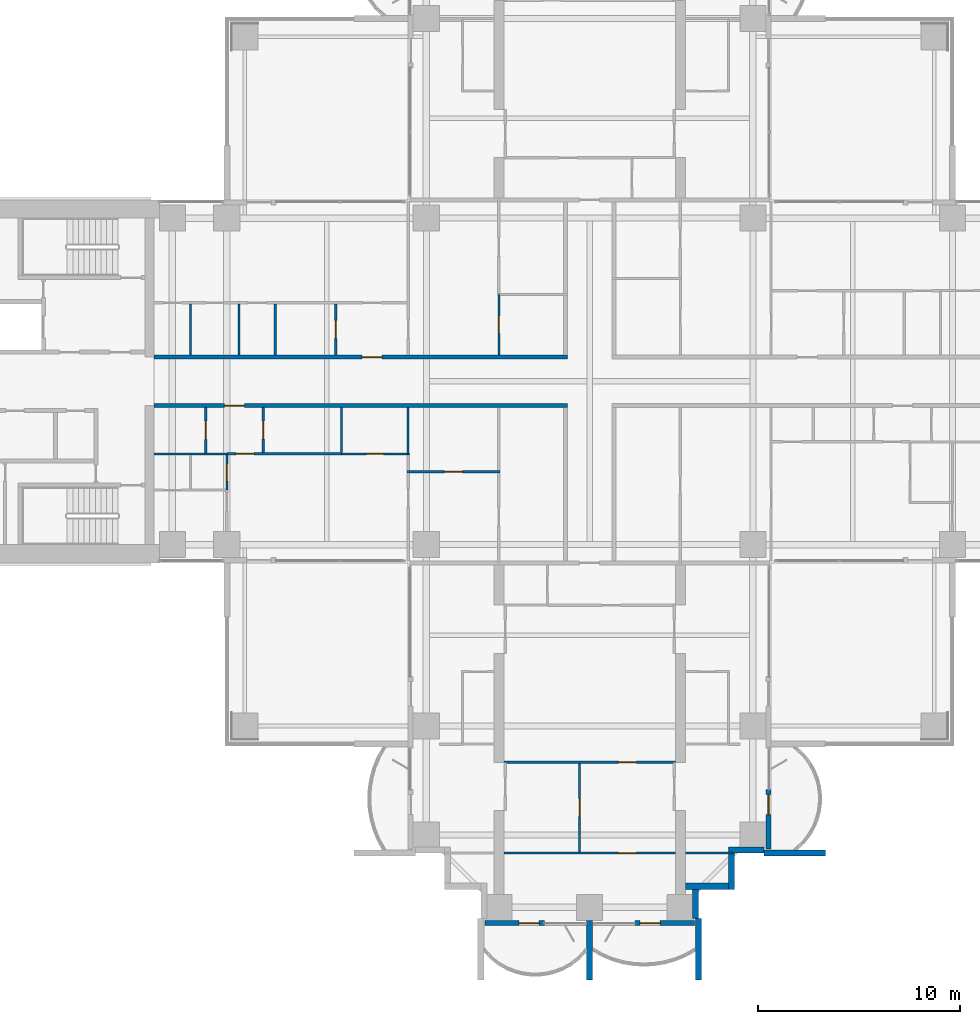
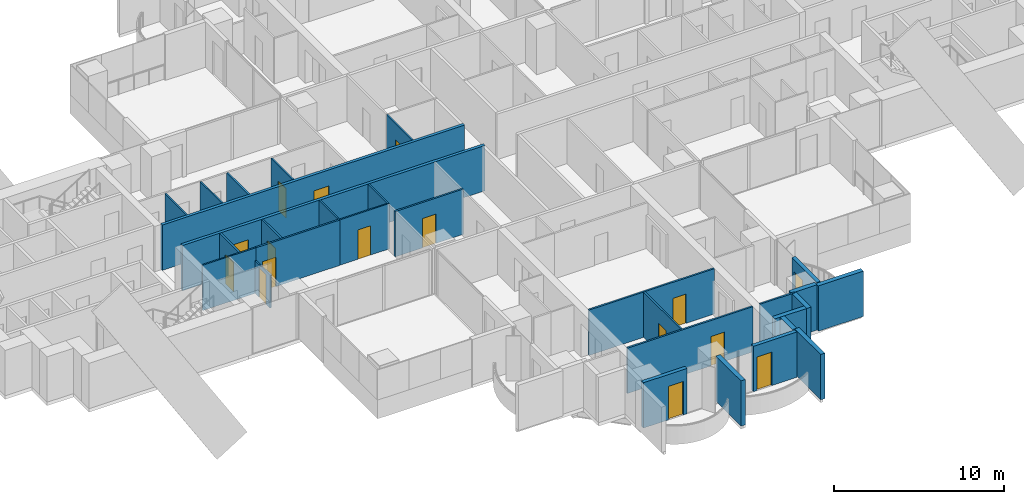
# One storey, part 12 of 23: 30 walls, 16 doors, 16 openings.
"""IFC4 building model written with IfcOpenShell, lengths in metres."""

from ifc_helpers import new_model, si_unit, direction, frame, frame_2d, origin, place, context, subcontext, project, spatial, rectangle, extrude, material, layer, layer_set, type_object, element, fill, save


model = new_model("IFC4")

# Units and contexts
model_context = context("Model", 3, precision=1e-05, world=origin(), true_north=direction((0.0, 1.0)))
body_context = subcontext(model_context, "Body", "Model", "MODEL_VIEW")
ifc_project = project(units=[si_unit("LENGTHUNIT", "METRE"), si_unit("AREAUNIT", "SQUARE_METRE"), si_unit("VOLUMEUNIT", "CUBIC_METRE"), si_unit("PLANEANGLEUNIT", "RADIAN"), si_unit("MASSUNIT", "GRAM", prefix="KILO")], contexts=[model_context])

# Site, building, storey
site_placement = place(None, origin())
site = spatial("IfcSite", under=ifc_project, at=site_placement, CompositionType="ELEMENT")
building_placement = place(site_placement, origin())
building = spatial("IfcBuilding", under=site, at=building_placement, Name="Perihelion Cross Residences", CompositionType="ELEMENT")
storey_placement = place(building_placement, frame((0.0, 0.0, 61.0)))
storey = spatial("IfcBuildingStorey", under=building, at=storey_placement, Name="L12", CompositionType="ELEMENT", Elevation=61.0)

# Wall, opening, door
ifc_material_1 = material(Name="Plasterboard partition")
ifc_layer_1 = layer(ifc_material_1, 0.199951171875)
ifc_layer_set_1 = layer_set([ifc_layer_1], Name="Apartment separation wall 200")
wall_type_1 = type_object("IfcWallType", Name="Apartment separation wall 200", PredefinedType="PARTITIONING", material=ifc_layer_set_1)
wall_1_placement = place(storey_placement, frame((-21.60009765625, 1.199951171875, 0.0), z_axis=(0.0, 0.0, 1.0), x_axis=(1.0, 0.0, 0.0)))
wall_1 = element("IfcWall", 1, at=wall_1_placement, inside=storey, type_object=wall_type_1, Name="Partition L12 W005", PredefinedType="PARTITIONING", context=body_context, shape_type="SweptSolid", body=[
    extrude(rectangle(XDim=20.5, YDim=0.199951171875, at=frame_2d((10.25, 0.0))), origin(), (0.0, 0.0, 1.0), 3.25),
])
opening_1_placement = place(wall_1_placement, frame((10.300048828125, 0.0, 0.0)))
opening_1 = element("IfcOpeningElement", 2, at=opening_1_placement, cuts=wall_1, Name="Opening L12.A55", PredefinedType="OPENING", context=body_context, shape_type="SweptSolid", body=[
    extrude(rectangle(XDim=1.0, YDim=2.10009765625, at=frame_2d((0.5, 1.050048828125))), frame((0.0, 0.10986328125, 0.0), z_axis=(0.0, -1.0, 0.0), x_axis=(1.0, 0.0, 0.0)), (0.0, 0.0, 1.0), 0.219970703125),
])
ifc_material_2 = material(Name="Timber door leaf", Category="wood")
door_type_1 = type_object("IfcDoorType", Name="Flat entrance door 1000 x 2100", OperationType="SINGLE_SWING_LEFT", PredefinedType="DOOR", material=ifc_material_2)
door_1_placement = place(opening_1_placement, origin())
door_1 = element("IfcDoor", 3, at=door_1_placement, inside=storey, type_object=door_type_1, Name="Door L12.A55", OperationType="SINGLE_SWING_LEFT", OverallHeight=2.10009765625, OverallWidth=1.0, PredefinedType="DOOR", context=body_context, shape_type="SweptSolid", body=[
    extrude(rectangle(XDim=1.0, YDim=2.10009765625, at=frame_2d((0.5, 1.050048828125))), frame((0.0, 0.02490234375, 0.0), z_axis=(0.0, -1.0, 0.0), x_axis=(1.0, 0.0, 0.0)), (0.0, 0.0, 1.0), 0.050048828125),
])
fill(opening_1, door_1)

wall_2_placement = place(storey_placement, frame((-1.10009765625, -1.199951171875, 0.0), z_axis=(0.0, 0.0, 1.0), x_axis=(-1.0, 0.0, 0.0)))
wall_2 = element("IfcWall", 4, at=wall_2_placement, inside=storey, type_object=wall_type_1, Name="Partition L12 W007", PredefinedType="PARTITIONING", context=body_context, shape_type="SweptSolid", body=[
    extrude(rectangle(XDim=20.5, YDim=0.199951171875, at=frame_2d((10.25, 0.0))), origin(), (0.0, 0.0, 1.0), 3.25),
])
opening_2_placement = place(wall_2_placement, frame((16.02490234375, 0.0, 0.0)))
opening_2 = element("IfcOpeningElement", 5, at=opening_2_placement, cuts=wall_2, Name="Opening L12.A56", PredefinedType="OPENING", context=body_context, shape_type="SweptSolid", body=[
    extrude(rectangle(XDim=1.0, YDim=2.10009765625, at=frame_2d((0.5, 1.050048828125))), frame((0.0, 0.10986328125, 0.0), z_axis=(0.0, -1.0, 0.0), x_axis=(1.0, 0.0, 0.0)), (0.0, 0.0, 1.0), 0.219970703125),
])
door_2_placement = place(opening_2_placement, origin())
door_2 = element("IfcDoor", 6, at=door_2_placement, inside=storey, type_object=door_type_1, Name="Door L12.A56", OperationType="SINGLE_SWING_RIGHT", OverallHeight=2.10009765625, OverallWidth=1.0, PredefinedType="DOOR", context=body_context, shape_type="SweptSolid", body=[
    extrude(rectangle(XDim=1.0, YDim=2.10009765625, at=frame_2d((0.5, 1.050048828125))), frame((0.0, 0.02490234375, 0.0), z_axis=(0.0, -1.0, 0.0), x_axis=(1.0, 0.0, 0.0)), (0.0, 0.0, 1.0), 0.050048828125),
])
fill(opening_2, door_2)

ifc_material_3 = material(Name="Concrete C30/37, bronze-clad", Category="concrete")
ifc_layer_2 = layer(ifc_material_3, 0.25)
ifc_layer_set_2 = layer_set([ifc_layer_2], Name="Bronze-clad pier wall 250")
wall_type_2 = type_object("IfcWallType", Name="Bronze-clad pier wall 250", PredefinedType="SOLIDWALL", material=ifc_layer_set_2)
wall_3_placement = place(storey_placement, frame((-5.199951171875, -26.875, 0.0), z_axis=(0.0, 0.0, 1.0), x_axis=(1.0, 0.0, 0.0)))
wall_3 = element("IfcWall", 7, at=wall_3_placement, inside=storey, type_object=wall_type_2, Name="Wall FW1 L12 south tip south bay 1 pier", PredefinedType="SOLIDWALL", context=body_context, shape_type="SweptSolid", body=[
    extrude(rectangle(XDim=2.949951171875, YDim=0.25, at=frame_2d((1.47509765625, 0.0))), origin(), (0.0, 0.0, 1.0), 3.25),
])
opening_3_placement = place(wall_3_placement, frame((1.699951171875, 0.0, 0.0)))
opening_3 = element("IfcOpeningElement", 8, at=opening_3_placement, cuts=wall_3, Name="Opening L12.E12", PredefinedType="OPENING", context=body_context, shape_type="SweptSolid", body=[
    extrude(rectangle(XDim=1.0, YDim=2.39990234375, at=frame_2d((0.5, 1.199951171875))), frame((0.0, 0.135009765625, 0.0), z_axis=(0.0, -1.0, 0.0), x_axis=(1.0, 0.0, 0.0)), (0.0, 0.0, 1.0), 0.27001953125),
])
ifc_material_4 = material(Name="Bronze anodised aluminium, glazed", Category="aluminium")
door_type_2 = type_object("IfcDoorType", Name="Balcony door 1000 x 2400", OperationType="NOTDEFINED", PredefinedType="DOOR", material=ifc_material_4)
door_3_placement = place(opening_3_placement, origin())
door_3 = element("IfcDoor", 9, at=door_3_placement, inside=storey, type_object=door_type_2, Name="Door L12.E12 south tip south bay 1", OperationType="SINGLE_SWING_LEFT", OverallHeight=2.39990234375, OverallWidth=1.0, PredefinedType="DOOR", context=body_context, shape_type="SweptSolid", body=[
    extrude(rectangle(XDim=1.0, YDim=2.39990234375, at=frame_2d((0.5, 1.199951171875))), frame((0.0, 0.02490234375, 0.0), z_axis=(0.0, -1.0, 0.0), x_axis=(1.0, 0.0, 0.0)), (0.0, 0.0, 1.0), 0.050048828125),
])
fill(opening_3, door_3)

wall_4_placement = place(storey_placement, frame((2.25, -26.875, 0.0), z_axis=(0.0, 0.0, 1.0), x_axis=(1.0, 0.0, 0.0)))
wall_4 = element("IfcWall", 10, at=wall_4_placement, inside=storey, type_object=wall_type_2, Name="Wall FW1 L12 south tip south bay 2 pier", PredefinedType="SOLIDWALL", context=body_context, shape_type="SweptSolid", body=[
    extrude(rectangle(XDim=2.949951171875, YDim=0.25, at=frame_2d((1.47509765625, 0.0))), origin(), (0.0, 0.0, 1.0), 3.25),
])
opening_4_placement = place(wall_4_placement, frame((0.25, 0.0, 0.0)))
opening_4 = element("IfcOpeningElement", 11, at=opening_4_placement, cuts=wall_4, Name="Opening L12.E13", PredefinedType="OPENING", context=body_context, shape_type="SweptSolid", body=[
    extrude(rectangle(XDim=1.0, YDim=2.39990234375, at=frame_2d((0.5, 1.199951171875))), frame((0.0, 0.135009765625, 0.0), z_axis=(0.0, -1.0, 0.0), x_axis=(1.0, 0.0, 0.0)), (0.0, 0.0, 1.0), 0.27001953125),
])
door_4_placement = place(opening_4_placement, origin())
door_4 = element("IfcDoor", 12, at=door_4_placement, inside=storey, type_object=door_type_2, Name="Door L12.E13 south tip south bay 2", OperationType="SINGLE_SWING_RIGHT", OverallHeight=2.39990234375, OverallWidth=1.0, PredefinedType="DOOR", context=body_context, shape_type="SweptSolid", body=[
    extrude(rectangle(XDim=1.0, YDim=2.39990234375, at=frame_2d((0.5, 1.199951171875))), frame((0.0, 0.02490234375, 0.0), z_axis=(0.0, -1.0, 0.0), x_axis=(1.0, 0.0, 0.0)), (0.0, 0.0, 1.0), 0.050048828125),
])
fill(opening_4, door_4)

wall_5_placement = place(storey_placement, frame((8.875, -23.199951171875, 0.0), z_axis=(0.0, 0.0, 1.0), x_axis=(0.0, 1.0, 0.0)))
wall_5 = element("IfcWall", 13, at=wall_5_placement, inside=storey, type_object=wall_type_2, Name="Wall FW1 L12 south side east bay 1 pier", PredefinedType="SOLIDWALL", context=body_context, shape_type="SweptSolid", body=[
    extrude(rectangle(XDim=2.949951171875, YDim=0.25, at=frame_2d((1.47509765625, 0.0))), origin(), (0.0, 0.0, 1.0), 3.25),
])
opening_5_placement = place(wall_5_placement, frame((1.699951171875, 0.0, 0.0)))
opening_5 = element("IfcOpeningElement", 14, at=opening_5_placement, cuts=wall_5, Name="Opening L12.E14", PredefinedType="OPENING", context=body_context, shape_type="SweptSolid", body=[
    extrude(rectangle(XDim=1.0, YDim=2.39990234375, at=frame_2d((0.5, 1.199951171875))), frame((0.0, 0.135009765625, 0.0), z_axis=(0.0, -1.0, 0.0), x_axis=(1.0, 0.0, 0.0)), (0.0, 0.0, 1.0), 0.27001953125),
])
door_5_placement = place(opening_5_placement, origin())
door_5 = element("IfcDoor", 15, at=door_5_placement, inside=storey, type_object=door_type_2, Name="Door L12.E14 south side east bay 1", OperationType="SINGLE_SWING_LEFT", OverallHeight=2.39990234375, OverallWidth=1.0, PredefinedType="DOOR", context=body_context, shape_type="SweptSolid", body=[
    extrude(rectangle(XDim=1.0, YDim=2.39990234375, at=frame_2d((0.5, 1.199951171875))), frame((0.0, 0.02490234375, 0.0), z_axis=(0.0, -1.0, 0.0), x_axis=(1.0, 0.0, 0.0)), (0.0, 0.0, 1.0), 0.050048828125),
])
fill(opening_5, door_5)

# Walls
ifc_material_5 = material(Name="Concrete C30/37, bronze-clad", Category="concrete")
ifc_layer_3 = layer(ifc_material_5, 0.300048828125)
ifc_layer_set_3 = layer_set([ifc_layer_3], Name="Bronze-clad serration wall 300")
wall_type_3 = type_object("IfcWallType", Name="Bronze-clad serration wall 300", PredefinedType="SOLIDWALL", material=ifc_layer_set_3)
wall_6_placement = place(storey_placement, frame((5.25, -26.64990234375, 0.0), z_axis=(0.0, 0.0, 1.0), x_axis=(0.0, 1.0, 0.0)))
element("IfcWall", 16, at=wall_6_placement, inside=storey, type_object=wall_type_3, Name="Wall SR1 L12 south corner south-east 1", PredefinedType="SOLIDWALL", context=body_context, shape_type="SweptSolid", body=[
    extrude(rectangle(XDim=1.449951171875, YDim=0.300048828125, at=frame_2d((0.72509765625, 0.0))), origin(), (0.0, 0.0, 1.0), 3.25),
])
wall_7_placement = place(storey_placement, frame((4.75, -25.050048828125, 0.0), z_axis=(0.0, 0.0, 1.0), x_axis=(1.0, 0.0, 0.0)))
element("IfcWall", 17, at=wall_7_placement, inside=storey, type_object=wall_type_3, Name="Wall SR1 L12 south corner south-east 2", PredefinedType="SOLIDWALL", context=body_context, shape_type="SweptSolid", body=[
    extrude(rectangle(XDim=2.14990234375, YDim=0.300048828125, at=frame_2d((1.074951171875, 0.0))), origin(), (0.0, 0.0, 1.0), 3.25),
])
wall_8_placement = place(storey_placement, frame((7.050048828125, -25.199951171875, 0.0), z_axis=(0.0, 0.0, 1.0), x_axis=(0.0, 1.0, 0.0)))
element("IfcWall", 18, at=wall_8_placement, inside=storey, type_object=wall_type_3, Name="Wall SR1 L12 south corner south-east 3", PredefinedType="SOLIDWALL", context=body_context, shape_type="SweptSolid", body=[
    extrude(rectangle(XDim=1.800048828125, YDim=0.300048828125, at=frame_2d((0.89990234375, 0.0))), origin(), (0.0, 0.0, 1.0), 3.25),
])
wall_9_placement = place(storey_placement, frame((6.89990234375, -23.25, 0.0), z_axis=(0.0, 0.0, 1.0), x_axis=(1.0, 0.0, 0.0)))
element("IfcWall", 19, at=wall_9_placement, inside=storey, type_object=wall_type_3, Name="Wall SR1 L12 south corner south-east 4", PredefinedType="SOLIDWALL", context=body_context, shape_type="SweptSolid", body=[
    extrude(rectangle(XDim=1.75, YDim=0.300048828125, at=frame_2d((0.875, 0.0))), origin(), (0.0, 0.0, 1.0), 3.25),
])

# Wall, opening, door
ifc_material_6 = material(Name="Plasterboard partition")
ifc_layer_4 = layer(ifc_material_6, 0.1201171875)
ifc_layer_set_4 = layer_set([ifc_layer_4], Name="Partition wall 120")
wall_type_4 = type_object("IfcWallType", Name="Partition wall 120", PredefinedType="PARTITIONING", material=ifc_layer_set_4)
wall_10_placement = place(storey_placement, frame((-12.60009765625, 1.300048828125, 0.0), z_axis=(0.0, 0.0, 1.0), x_axis=(0.0, 1.0, 0.0)))
wall_10 = element("IfcWall", 20, at=wall_10_placement, inside=storey, type_object=wall_type_4, Name="Partition L12 W035", PredefinedType="PARTITIONING", context=body_context, shape_type="SweptSolid", body=[
    extrude(rectangle(XDim=2.5400390625, YDim=0.1201171875, at=frame_2d((1.27001953125, 0.0))), origin(), (0.0, 0.0, 1.0), 3.25),
])
opening_6_placement = place(wall_10_placement, frame((0.820068359375, 0.0, 0.0)))
opening_6 = element("IfcOpeningElement", 21, at=opening_6_placement, cuts=wall_10, Name="Opening L12.A20", PredefinedType="OPENING", context=body_context, shape_type="SweptSolid", body=[
    extrude(rectangle(XDim=0.89990234375, YDim=2.10009765625, at=frame_2d((0.449951171875, 1.050048828125))), frame((0.0, 0.070068359375, 0.0), z_axis=(0.0, -1.0, 0.0), x_axis=(1.0, 0.0, 0.0)), (0.0, 0.0, 1.0), 0.14013671875),
])
ifc_material_7 = material(Name="Timber door leaf", Category="wood")
door_type_3 = type_object("IfcDoorType", Name="Interior room door 900 x 2100", OperationType="SINGLE_SWING_LEFT", PredefinedType="DOOR", material=ifc_material_7)
door_6_placement = place(opening_6_placement, origin())
door_6 = element("IfcDoor", 22, at=door_6_placement, inside=storey, type_object=door_type_3, Name="Door L12.A20", OperationType="SINGLE_SWING_RIGHT", OverallHeight=2.10009765625, OverallWidth=0.89990234375, PredefinedType="DOOR", context=body_context, shape_type="SweptSolid", body=[
    extrude(rectangle(XDim=0.89990234375, YDim=2.10009765625, at=frame_2d((0.449951171875, 1.050048828125))), frame((0.0, 0.02490234375, 0.0), z_axis=(0.0, -1.0, 0.0), x_axis=(1.0, 0.0, 0.0)), (0.0, 0.0, 1.0), 0.050048828125),
])
fill(opening_6, door_6)

# Wall
wall_11_placement = place(storey_placement, frame((-15.60009765625, 1.300048828125, 0.0), z_axis=(0.0, 0.0, 1.0), x_axis=(0.0, 1.0, 0.0)))
element("IfcWall", 23, at=wall_11_placement, inside=storey, type_object=wall_type_4, Name="Partition L12 W038", PredefinedType="PARTITIONING", context=body_context, shape_type="SweptSolid", body=[
    extrude(rectangle(XDim=2.5400390625, YDim=0.1201171875, at=frame_2d((1.27001953125, 0.0))), origin(), (0.0, 0.0, 1.0), 3.25),
])

# Wall, opening, door
wall_12_placement = place(storey_placement, frame((-16.199951171875, -3.5400390625, 0.0), z_axis=(0.0, 0.0, 1.0), x_axis=(0.0, 1.0, 0.0)))
wall_12 = element("IfcWall", 24, at=wall_12_placement, inside=storey, type_object=wall_type_4, Name="Partition L12 W049", PredefinedType="PARTITIONING", context=body_context, shape_type="SweptSolid", body=[
    extrude(rectangle(XDim=2.239990234375, YDim=0.1201171875, at=frame_2d((1.1201171875, 0.0))), origin(), (0.0, 0.0, 1.0), 3.25),
])
opening_7_placement = place(wall_12_placement, frame((0.669921875, 0.0, 0.0)))
opening_7 = element("IfcOpeningElement", 25, at=opening_7_placement, cuts=wall_12, Name="Opening L12.A31", PredefinedType="OPENING", context=body_context, shape_type="SweptSolid", body=[
    extrude(rectangle(XDim=0.89990234375, YDim=2.10009765625, at=frame_2d((0.449951171875, 1.050048828125))), frame((0.0, 0.070068359375, 0.0), z_axis=(0.0, -1.0, 0.0), x_axis=(1.0, 0.0, 0.0)), (0.0, 0.0, 1.0), 0.14013671875),
])
door_7_placement = place(opening_7_placement, origin())
door_7 = element("IfcDoor", 26, at=door_7_placement, inside=storey, type_object=door_type_3, Name="Door L12.A31", OperationType="SINGLE_SWING_RIGHT", OverallHeight=2.10009765625, OverallWidth=0.89990234375, PredefinedType="DOOR", context=body_context, shape_type="SweptSolid", body=[
    extrude(rectangle(XDim=0.89990234375, YDim=2.10009765625, at=frame_2d((0.449951171875, 1.050048828125))), frame((0.0, 0.02490234375, 0.0), z_axis=(0.0, -1.0, 0.0), x_axis=(1.0, 0.0, 0.0)), (0.0, 0.0, 1.0), 0.050048828125),
])
fill(opening_7, door_7)

wall_13_placement = place(storey_placement, frame((-12.300048828125, -3.60009765625, 0.0), z_axis=(0.0, 0.0, 1.0), x_axis=(-1.0, 0.0, 0.0)))
wall_13 = element("IfcWall", 27, at=wall_13_placement, inside=storey, type_object=wall_type_4, Name="Partition L12 W050", PredefinedType="PARTITIONING", context=body_context, shape_type="SweptSolid", body=[
    extrude(rectangle(XDim=5.699951171875, YDim=0.1201171875, at=frame_2d((2.85009765625, 0.0))), origin(), (0.0, 0.0, 1.0), 3.25),
])
opening_8_placement = place(wall_13_placement, frame((4.35009765625, 0.0, 0.0)))
opening_8 = element("IfcOpeningElement", 28, at=opening_8_placement, cuts=wall_13, Name="Opening L12.A33", PredefinedType="OPENING", context=body_context, shape_type="SweptSolid", body=[
    extrude(rectangle(XDim=0.89990234375, YDim=2.10009765625, at=frame_2d((0.449951171875, 1.050048828125))), frame((0.0, 0.070068359375, 0.0), z_axis=(0.0, -1.0, 0.0), x_axis=(1.0, 0.0, 0.0)), (0.0, 0.0, 1.0), 0.14013671875),
])
door_8_placement = place(opening_8_placement, origin())
door_8 = element("IfcDoor", 29, at=door_8_placement, inside=storey, type_object=door_type_3, Name="Door L12.A33", OperationType="SINGLE_SWING_RIGHT", OverallHeight=2.10009765625, OverallWidth=0.89990234375, PredefinedType="DOOR", context=body_context, shape_type="SweptSolid", body=[
    extrude(rectangle(XDim=0.89990234375, YDim=2.10009765625, at=frame_2d((0.449951171875, 1.050048828125))), frame((0.0, 0.02490234375, 0.0), z_axis=(0.0, -1.0, 0.0), x_axis=(1.0, 0.0, 0.0)), (0.0, 0.0, 1.0), 0.050048828125),
])
fill(opening_8, door_8)

wall_14_placement = place(storey_placement, frame((-19.050048828125, -3.550048828125, 0.0), z_axis=(0.0, 0.0, 1.0), x_axis=(0.0, 1.0, 0.0)))
wall_14 = element("IfcWall", 30, at=wall_14_placement, inside=storey, type_object=wall_type_4, Name="Partition L12 W051", PredefinedType="PARTITIONING", context=body_context, shape_type="SweptSolid", body=[
    extrude(rectangle(XDim=2.25, YDim=0.1201171875, at=frame_2d((1.125, 0.0))), origin(), (0.0, 0.0, 1.0), 3.25),
])
opening_9_placement = place(wall_14_placement, frame((0.675048828125, 0.0, 0.0)))
opening_9 = element("IfcOpeningElement", 31, at=opening_9_placement, cuts=wall_14, Name="Opening L12.A27", PredefinedType="OPENING", context=body_context, shape_type="SweptSolid", body=[
    extrude(rectangle(XDim=0.89990234375, YDim=2.10009765625, at=frame_2d((0.449951171875, 1.050048828125))), frame((0.0, 0.070068359375, 0.0), z_axis=(0.0, -1.0, 0.0), x_axis=(1.0, 0.0, 0.0)), (0.0, 0.0, 1.0), 0.14013671875),
])
door_9_placement = place(opening_9_placement, origin())
door_9 = element("IfcDoor", 32, at=door_9_placement, inside=storey, type_object=door_type_3, Name="Door L12.A27", OperationType="SINGLE_SWING_RIGHT", OverallHeight=2.10009765625, OverallWidth=0.89990234375, PredefinedType="DOOR", context=body_context, shape_type="SweptSolid", body=[
    extrude(rectangle(XDim=0.89990234375, YDim=2.10009765625, at=frame_2d((0.449951171875, 1.050048828125))), frame((0.0, 0.02490234375, 0.0), z_axis=(0.0, -1.0, 0.0), x_axis=(1.0, 0.0, 0.0)), (0.0, 0.0, 1.0), 0.050048828125),
])
fill(opening_9, door_9)

wall_15_placement = place(storey_placement, frame((-4.43994140625, -4.47607421875, 0.0), z_axis=(0.0, 0.0, 1.0), x_axis=(-1.0, 0.0, 0.0)))
wall_15 = element("IfcWall", 33, at=wall_15_placement, inside=storey, type_object=wall_type_4, Name="Partition L12 W058", PredefinedType="PARTITIONING", context=body_context, shape_type="SweptSolid", body=[
    extrude(rectangle(XDim=4.6201171875, YDim=0.1201171875, at=frame_2d((2.31005859375, 0.0))), origin(), (0.0, 0.0, 1.0), 3.25),
])
opening_10_placement = place(wall_15_placement, frame((1.860107421875, 0.0, 0.0)))
opening_10 = element("IfcOpeningElement", 34, at=opening_10_placement, cuts=wall_15, Name="Opening L12.A32", PredefinedType="OPENING", context=body_context, shape_type="SweptSolid", body=[
    extrude(rectangle(XDim=0.89990234375, YDim=2.10009765625, at=frame_2d((0.449951171875, 1.050048828125))), frame((0.0, 0.070068359375, 0.0), z_axis=(0.0, -1.0, 0.0), x_axis=(1.0, 0.0, 0.0)), (0.0, 0.0, 1.0), 0.14013671875),
])
door_10_placement = place(opening_10_placement, origin())
door_10 = element("IfcDoor", 35, at=door_10_placement, inside=storey, type_object=door_type_3, Name="Door L12.A32", OperationType="SINGLE_SWING_LEFT", OverallHeight=2.10009765625, OverallWidth=0.89990234375, PredefinedType="DOOR", context=body_context, shape_type="SweptSolid", body=[
    extrude(rectangle(XDim=0.89990234375, YDim=2.10009765625, at=frame_2d((0.449951171875, 1.050048828125))), frame((0.0, 0.02490234375, 0.0), z_axis=(0.0, -1.0, 0.0), x_axis=(1.0, 0.0, 0.0)), (0.0, 0.0, 1.0), 0.050048828125),
])
fill(opening_10, door_10)

wall_16_placement = place(storey_placement, frame((4.25, -18.89990234375, 0.0), z_axis=(0.0, 0.0, 1.0), x_axis=(-1.0, 0.0, 0.0)))
wall_16 = element("IfcWall", 36, at=wall_16_placement, inside=storey, type_object=wall_type_4, Name="Partition L12 W081", PredefinedType="PARTITIONING", context=body_context, shape_type="SweptSolid", body=[
    extrude(rectangle(XDim=8.5, YDim=0.1201171875, at=frame_2d((4.25, 0.0))), origin(), (0.0, 0.0, 1.0), 3.25),
])
opening_11_placement = place(wall_16_placement, frame((1.925048828125, 0.0, 0.0)))
opening_11 = element("IfcOpeningElement", 37, at=opening_11_placement, cuts=wall_16, Name="Opening L12.A48", PredefinedType="OPENING", context=body_context, shape_type="SweptSolid", body=[
    extrude(rectangle(XDim=0.89990234375, YDim=2.10009765625, at=frame_2d((0.449951171875, 1.050048828125))), frame((0.0, 0.070068359375, 0.0), z_axis=(0.0, -1.0, 0.0), x_axis=(1.0, 0.0, 0.0)), (0.0, 0.0, 1.0), 0.14013671875),
])
door_11_placement = place(opening_11_placement, origin())
door_11 = element("IfcDoor", 38, at=door_11_placement, inside=storey, type_object=door_type_3, Name="Door L12.A48", OperationType="SINGLE_SWING_LEFT", OverallHeight=2.10009765625, OverallWidth=0.89990234375, PredefinedType="DOOR", context=body_context, shape_type="SweptSolid", body=[
    extrude(rectangle(XDim=0.89990234375, YDim=2.10009765625, at=frame_2d((0.449951171875, 1.050048828125))), frame((0.0, 0.02490234375, 0.0), z_axis=(0.0, -1.0, 0.0), x_axis=(1.0, 0.0, 0.0)), (0.0, 0.0, 1.0), 0.050048828125),
])
fill(opening_11, door_11)

wall_17_placement = place(storey_placement, frame((-0.5, -23.340087890625, 0.0), z_axis=(0.0, 0.0, 1.0), x_axis=(0.0, 1.0, 0.0)))
wall_17 = element("IfcWall", 39, at=wall_17_placement, inside=storey, type_object=wall_type_4, Name="Partition L12 W082", PredefinedType="PARTITIONING", context=body_context, shape_type="SweptSolid", body=[
    extrude(rectangle(XDim=4.380126953125, YDim=0.1201171875, at=frame_2d((2.18994140625, 0.0))), origin(), (0.0, 0.0, 1.0), 3.25),
])
opening_12_placement = place(wall_17_placement, frame((1.739990234375, 0.0, 0.0)))
opening_12 = element("IfcOpeningElement", 40, at=opening_12_placement, cuts=wall_17, Name="Opening L12.A49", PredefinedType="OPENING", context=body_context, shape_type="SweptSolid", body=[
    extrude(rectangle(XDim=0.89990234375, YDim=2.10009765625, at=frame_2d((0.449951171875, 1.050048828125))), frame((0.0, 0.070068359375, 0.0), z_axis=(0.0, -1.0, 0.0), x_axis=(1.0, 0.0, 0.0)), (0.0, 0.0, 1.0), 0.14013671875),
])
door_12_placement = place(opening_12_placement, origin())
door_12 = element("IfcDoor", 41, at=door_12_placement, inside=storey, type_object=door_type_3, Name="Door L12.A49", OperationType="SINGLE_SWING_RIGHT", OverallHeight=2.10009765625, OverallWidth=0.89990234375, PredefinedType="DOOR", context=body_context, shape_type="SweptSolid", body=[
    extrude(rectangle(XDim=0.89990234375, YDim=2.10009765625, at=frame_2d((0.449951171875, 1.050048828125))), frame((0.0, 0.02490234375, 0.0), z_axis=(0.0, -1.0, 0.0), x_axis=(1.0, 0.0, 0.0)), (0.0, 0.0, 1.0), 0.050048828125),
])
fill(opening_12, door_12)

wall_18_placement = place(storey_placement, frame((4.25, -23.39990234375, 0.0), z_axis=(0.0, 0.0, 1.0), x_axis=(-1.0, 0.0, 0.0)))
wall_18 = element("IfcWall", 42, at=wall_18_placement, inside=storey, type_object=wall_type_4, Name="Partition L12 W083", PredefinedType="PARTITIONING", context=body_context, shape_type="SweptSolid", body=[
    extrude(rectangle(XDim=8.5, YDim=0.1201171875, at=frame_2d((4.25, 0.0))), origin(), (0.0, 0.0, 1.0), 3.25),
])
opening_13_placement = place(wall_18_placement, frame((1.925048828125, 0.0, 0.0)))
opening_13 = element("IfcOpeningElement", 43, at=opening_13_placement, cuts=wall_18, Name="Opening L12.A50", PredefinedType="OPENING", context=body_context, shape_type="SweptSolid", body=[
    extrude(rectangle(XDim=0.89990234375, YDim=2.10009765625, at=frame_2d((0.449951171875, 1.050048828125))), frame((0.0, 0.070068359375, 0.0), z_axis=(0.0, -1.0, 0.0), x_axis=(1.0, 0.0, 0.0)), (0.0, 0.0, 1.0), 0.14013671875),
])
door_13_placement = place(opening_13_placement, origin())
door_13 = element("IfcDoor", 44, at=door_13_placement, inside=storey, type_object=door_type_3, Name="Door L12.A50", OperationType="SINGLE_SWING_RIGHT", OverallHeight=2.10009765625, OverallWidth=0.89990234375, PredefinedType="DOOR", context=body_context, shape_type="SweptSolid", body=[
    extrude(rectangle(XDim=0.89990234375, YDim=2.10009765625, at=frame_2d((0.449951171875, 1.050048828125))), frame((0.0, 0.02490234375, 0.0), z_axis=(0.0, -1.0, 0.0), x_axis=(1.0, 0.0, 0.0)), (0.0, 0.0, 1.0), 0.050048828125),
])
fill(opening_13, door_13)

# Walls
wall_19_placement = place(storey_placement, frame((7.1201171875, -23.39990234375, 0.0), z_axis=(0.0, 0.0, 1.0), x_axis=(-1.0, 0.0, 0.0)))
element("IfcWall", 45, at=wall_19_placement, inside=storey, type_object=wall_type_4, Name="Partition L12 W088", PredefinedType="PARTITIONING", context=body_context, shape_type="SweptSolid", body=[
    extrude(rectangle(XDim=2.3701171875, YDim=0.1201171875, at=frame_2d((1.18505859375, 0.0))), origin(), (0.0, 0.0, 1.0), 3.25),
])
ifc_material_8 = material(Name="Precast concrete C50/60", Category="concrete")
ifc_layer_5 = layer(ifc_material_8, 0.300048828125)
ifc_layer_set_5 = layer_set([ifc_layer_5], Name="Precast concrete C50/60 blade wall 300")
wall_type_5 = type_object("IfcWallType", Name="Precast concrete C50/60 blade wall 300", PredefinedType="SOLIDWALL", material=ifc_layer_set_5)
wall_20_placement = place(storey_placement, frame((0.0, -26.75, 0.0), z_axis=(0.0, 0.0, 1.0), x_axis=(0.0, -1.0, 0.0)))
element("IfcWall", 46, at=wall_20_placement, inside=storey, type_object=wall_type_5, Name="Wall BL1 L12 no. 9", PredefinedType="SOLIDWALL", context=body_context, shape_type="SweptSolid", body=[
    extrude(rectangle(XDim=2.949951171875, YDim=0.300048828125, at=frame_2d((1.47509765625, 0.0))), origin(), (0.0, 0.0, 1.0), 3.25),
])
for number, where, z_axis, x_axis, name in (
    (47, (5.39990234375, -26.64990234375, 0.0), (0.0, 0.0, 1.0), (0.0, -1.0, 0.0), "Wall BL1 L12 no. 13"),
    (48, (8.64990234375, -23.39990234375, 0.0), (0.0, 0.0, 1.0), (1.0, 0.0, 0.0), "Wall BL1 L12 no. 16"),
):
    element("IfcWall", number, at=place(storey_placement, frame(where, z_axis=z_axis, x_axis=x_axis)), inside=storey, type_object=wall_type_5, Name=name, PredefinedType="SOLIDWALL", context=body_context, shape_type="SweptSolid", body=[
        extrude(rectangle(XDim=3.050048828125, YDim=0.300048828125, at=frame_2d((1.52490234375, 0.0))), origin(), (0.0, 0.0, 1.0), 3.25),
    ])
ifc_material_9 = material(Name="Plasterboard partition")
ifc_layer_6 = layer(ifc_material_9, 0.10009765625)
ifc_layer_set_6 = layer_set([ifc_layer_6], Name="Wet room wall 100")
wall_type_6 = type_object("IfcWallType", Name="Wet room wall 100", PredefinedType="PARTITIONING", material=ifc_layer_set_6)
for number, where, z_axis, x_axis, name in (
    (49, (-17.39990234375, 1.300048828125, 0.0), (0.0, 0.0, 1.0), (0.0, 1.0, 0.0), "Partition L12 W039"),
    (50, (-19.800048828125, 1.300048828125, 0.0), (0.0, 0.0, 1.0), (0.0, 1.0, 0.0), "Partition L12 W040"),
):
    element("IfcWall", number, at=place(storey_placement, frame(where, z_axis=z_axis, x_axis=x_axis)), inside=storey, type_object=wall_type_6, Name=name, PredefinedType="PARTITIONING", context=body_context, shape_type="SweptSolid", body=[
        extrude(rectangle(XDim=2.5400390625, YDim=0.10009765625, at=frame_2d((1.27001953125, 0.0))), origin(), (0.0, 0.0, 1.0), 3.25),
    ])

# Wall, opening, door
wall_21_placement = place(storey_placement, frame((-4.5, 4.320068359375, 0.0), z_axis=(0.0, 0.0, 1.0), x_axis=(0.0, -1.0, 0.0)))
wall_21 = element("IfcWall", 51, at=wall_21_placement, inside=storey, type_object=wall_type_6, Name="Partition L12 W043", PredefinedType="PARTITIONING", context=body_context, shape_type="SweptSolid", body=[
    extrude(rectangle(XDim=3.02001953125, YDim=0.10009765625, at=frame_2d((1.510009765625, 0.0))), origin(), (0.0, 0.0, 1.0), 3.25),
])
opening_14_placement = place(wall_21_placement, frame((1.0849609375, 0.0, 0.0)))
opening_14 = element("IfcOpeningElement", 52, at=opening_14_placement, cuts=wall_21, Name="Opening L12.A24", PredefinedType="OPENING", context=body_context, shape_type="SweptSolid", body=[
    extrude(rectangle(XDim=0.85009765625, YDim=2.10009765625, at=frame_2d((0.425048828125, 1.050048828125))), frame((0.0, 0.06005859375, 0.0), z_axis=(0.0, -1.0, 0.0), x_axis=(1.0, 0.0, 0.0)), (0.0, 0.0, 1.0), 0.1201171875),
])
ifc_material_10 = material(Name="Timber door leaf", Category="wood")
door_type_4 = type_object("IfcDoorType", Name="Interior bathroom door 850 x 2100", OperationType="SINGLE_SWING_LEFT", PredefinedType="DOOR", material=ifc_material_10)
door_14_placement = place(opening_14_placement, origin())
door_14 = element("IfcDoor", 53, at=door_14_placement, inside=storey, type_object=door_type_4, Name="Door L12.A24", OperationType="SINGLE_SWING_RIGHT", OverallHeight=2.10009765625, OverallWidth=0.85009765625, PredefinedType="DOOR", context=body_context, shape_type="SweptSolid", body=[
    extrude(rectangle(XDim=0.85009765625, YDim=2.10009765625, at=frame_2d((0.425048828125, 1.050048828125))), frame((0.0, 0.02490234375, 0.0), z_axis=(0.0, -1.0, 0.0), x_axis=(1.0, 0.0, 0.0)), (0.0, 0.0, 1.0), 0.050048828125),
])
fill(opening_14, door_14)

# Wall
wall_22_placement = place(storey_placement, frame((-12.300048828125, -3.5400390625, 0.0), z_axis=(0.0, 0.0, 1.0), x_axis=(0.0, 1.0, 0.0)))
element("IfcWall", 54, at=wall_22_placement, inside=storey, type_object=wall_type_6, Name="Partition L12 W046", PredefinedType="PARTITIONING", context=body_context, shape_type="SweptSolid", body=[
    extrude(rectangle(XDim=2.239990234375, YDim=0.10009765625, at=frame_2d((1.1201171875, 0.0))), origin(), (0.0, 0.0, 1.0), 3.25),
])

# Wall, opening, door
wall_23_placement = place(storey_placement, frame((-8.93994140625, -3.60009765625, 0.0), z_axis=(0.0, 0.0, 1.0), x_axis=(-1.0, 0.0, 0.0)))
wall_23 = element("IfcWall", 55, at=wall_23_placement, inside=storey, type_object=wall_type_6, Name="Partition L12 W047", PredefinedType="PARTITIONING", context=body_context, shape_type="SweptSolid", body=[
    extrude(rectangle(XDim=3.360107421875, YDim=0.10009765625, at=frame_2d((1.68017578125, 0.0))), origin(), (0.0, 0.0, 1.0), 3.25),
])
opening_15_placement = place(wall_23_placement, frame((1.284912109375, 0.0, 0.0)))
opening_15 = element("IfcOpeningElement", 56, at=opening_15_placement, cuts=wall_23, Name="Opening L12.A30", PredefinedType="OPENING", context=body_context, shape_type="SweptSolid", body=[
    extrude(rectangle(XDim=0.85009765625, YDim=2.10009765625, at=frame_2d((0.425048828125, 1.050048828125))), frame((0.0, 0.06005859375, 0.0), z_axis=(0.0, -1.0, 0.0), x_axis=(1.0, 0.0, 0.0)), (0.0, 0.0, 1.0), 0.1201171875),
])
door_15_placement = place(opening_15_placement, origin())
door_15 = element("IfcDoor", 57, at=door_15_placement, inside=storey, type_object=door_type_4, Name="Door L12.A30", OperationType="SINGLE_SWING_LEFT", OverallHeight=2.10009765625, OverallWidth=0.85009765625, PredefinedType="DOOR", context=body_context, shape_type="SweptSolid", body=[
    extrude(rectangle(XDim=0.85009765625, YDim=2.10009765625, at=frame_2d((0.425048828125, 1.050048828125))), frame((0.0, 0.02490234375, 0.0), z_axis=(0.0, -1.0, 0.0), x_axis=(1.0, 0.0, 0.0)), (0.0, 0.0, 1.0), 0.050048828125),
])
fill(opening_15, door_15)

# Walls
wall_24_placement = place(storey_placement, frame((-9.0, -1.300048828125, 0.0), z_axis=(0.0, 0.0, 1.0), x_axis=(0.0, -1.0, 0.0)))
element("IfcWall", 58, at=wall_24_placement, inside=storey, type_object=wall_type_6, Name="Partition L12 W048", PredefinedType="PARTITIONING", context=body_context, shape_type="SweptSolid", body=[
    extrude(rectangle(XDim=2.300048828125, YDim=0.10009765625, at=frame_2d((1.14990234375, 0.0))), origin(), (0.0, 0.0, 1.0), 3.25),
])
wall_25_placement = place(storey_placement, frame((-18.0, -3.60009765625, 0.0), z_axis=(0.0, 0.0, 1.0), x_axis=(-1.0, 0.0, 0.0)))
element("IfcWall", 59, at=wall_25_placement, inside=storey, type_object=wall_type_6, Name="Partition L12 W052", PredefinedType="PARTITIONING", context=body_context, shape_type="SweptSolid", body=[
    extrude(rectangle(XDim=3.60009765625, YDim=0.10009765625, at=frame_2d((1.800048828125, 0.0))), origin(), (0.0, 0.0, 1.0), 3.25),
])

# Wall, opening, door
wall_26_placement = place(storey_placement, frame((-18.0, -5.39990234375, 0.0), z_axis=(0.0, 0.0, 1.0), x_axis=(0.0, 1.0, 0.0)))
wall_26 = element("IfcWall", 60, at=wall_26_placement, inside=storey, type_object=wall_type_6, Name="Partition L12 W053", PredefinedType="PARTITIONING", context=body_context, shape_type="SweptSolid", body=[
    extrude(rectangle(XDim=1.739990234375, YDim=0.10009765625, at=frame_2d((0.8701171875, 0.0))), origin(), (0.0, 0.0, 1.0), 2.345947265625),
])
opening_16_placement = place(wall_26_placement, frame((0.445068359375, 0.0, 0.0)))
opening_16 = element("IfcOpeningElement", 61, at=opening_16_placement, cuts=wall_26, Name="Opening L12.A29", PredefinedType="OPENING", context=body_context, shape_type="SweptSolid", body=[
    extrude(rectangle(XDim=0.85009765625, YDim=2.10009765625, at=frame_2d((0.425048828125, 1.050048828125))), frame((0.0, 0.06005859375, 0.0), z_axis=(0.0, -1.0, 0.0), x_axis=(1.0, 0.0, 0.0)), (0.0, 0.0, 1.0), 0.1201171875),
])
door_16_placement = place(opening_16_placement, origin())
door_16 = element("IfcDoor", 62, at=door_16_placement, inside=storey, type_object=door_type_4, Name="Door L12.A29", OperationType="SINGLE_SWING_LEFT", OverallHeight=2.10009765625, OverallWidth=0.85009765625, PredefinedType="DOOR", context=body_context, shape_type="SweptSolid", body=[
    extrude(rectangle(XDim=0.85009765625, YDim=2.10009765625, at=frame_2d((0.425048828125, 1.050048828125))), frame((0.0, 0.02490234375, 0.0), z_axis=(0.0, -1.0, 0.0), x_axis=(1.0, 0.0, 0.0)), (0.0, 0.0, 1.0), 0.050048828125),
])
fill(opening_16, door_16)

save(model, "model.ifc")
